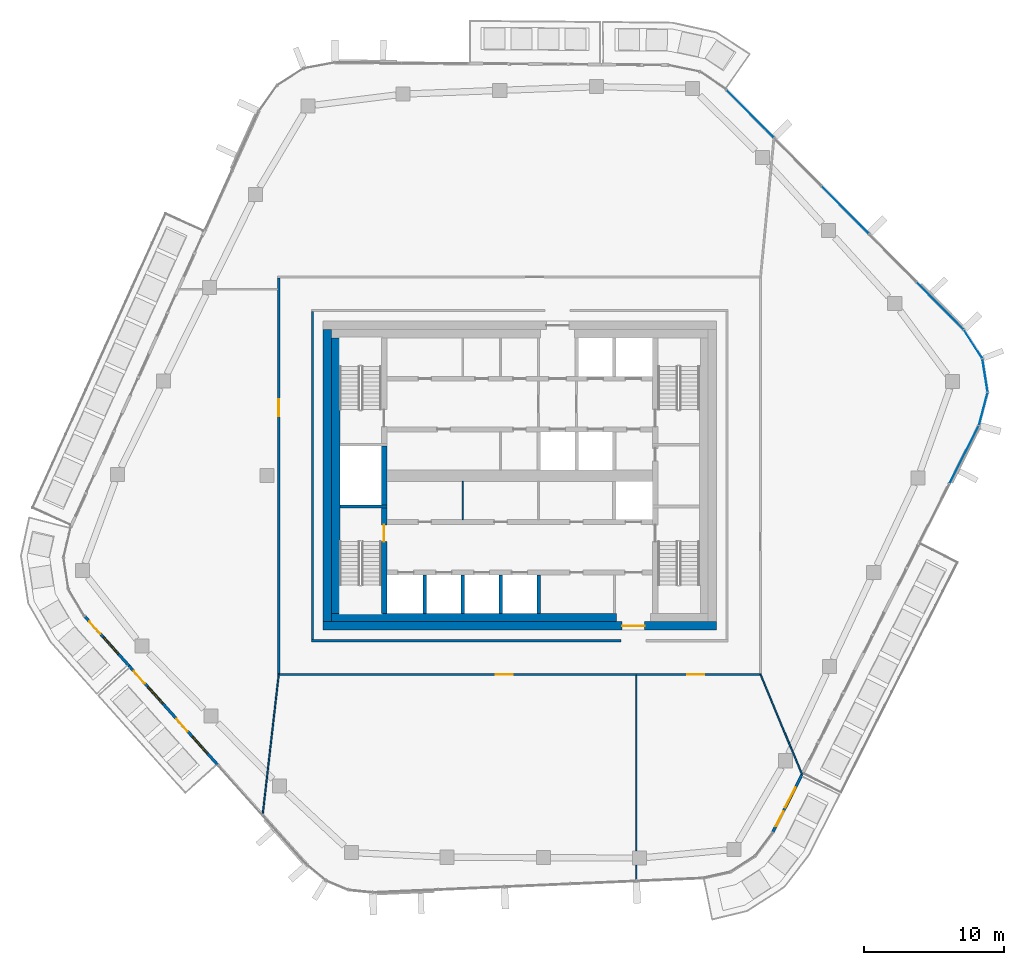
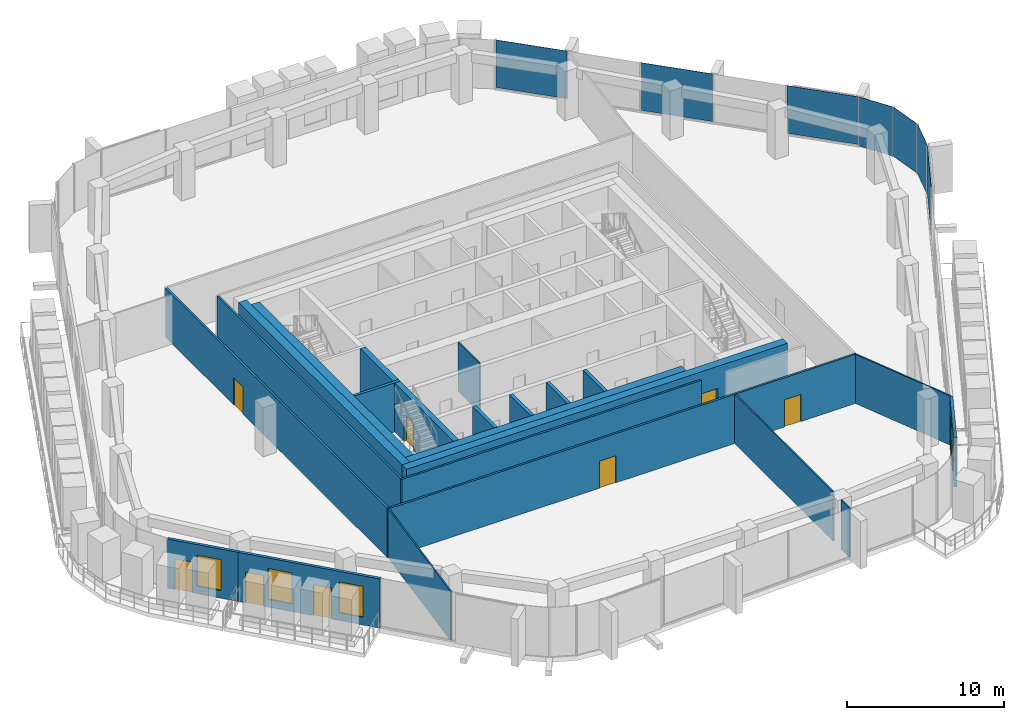
# One storey, part 12 of 23: 23 walls, 9 doors, 7 plates, 4 windows, 13 openings, 3 elements without a shape of their own.
"""IFC4 building model written with IfcOpenShell, lengths in metres."""

from ifc_helpers import new_model, si_unit, direction, frame, frame_2d, origin, origin_2d, place, context, subcontext, project, spatial, rectangle, extrude, material, layer, layer_set, type_object, element, fill, aggregate, save


model = new_model("IFC4")

# Units and contexts
model_context = context("Model", 3, precision=1e-05, world=origin(), true_north=direction((0.0, 1.0)))
body_context = subcontext(model_context, "Body", "Model", "MODEL_VIEW")
ifc_project = project(units=[si_unit("LENGTHUNIT", "METRE"), si_unit("AREAUNIT", "SQUARE_METRE"), si_unit("VOLUMEUNIT", "CUBIC_METRE"), si_unit("PLANEANGLEUNIT", "RADIAN"), si_unit("MASSUNIT", "GRAM", prefix="KILO")], contexts=[model_context])

# Site, building, storey
site_placement = place(None, origin())
site = spatial("IfcSite", under=ifc_project, at=site_placement, CompositionType="ELEMENT")
building_placement = place(site_placement, origin())
building = spatial("IfcBuilding", under=site, at=building_placement, Name="Dongbaek Canopy Tower", CompositionType="ELEMENT")
storey_placement = place(building_placement, frame((0.0, 0.0, 323.60009765625)))
storey = spatial("IfcBuildingStorey", under=building, at=storey_placement, Name="L69", CompositionType="ELEMENT", Elevation=323.60009765625)

# Curtain wall, plates
ifc_material_1 = material(Name="Aluminium 6063-T6 pale anodised", Category="aluminium")
ifc_layer_1 = layer(ifc_material_1, 0.199951171875)
ifc_layer_set_1 = layer_set([ifc_layer_1], Name="CW-1 unitised tower curtain wall")
curtain_wall_type = type_object("IfcCurtainWallType", Name="CW-1 unitised tower curtain wall", PredefinedType="NOTDEFINED", material=ifc_layer_set_1)
curtain_wall_1_placement = place(storey_placement, origin())
curtain_wall_1 = element("IfcCurtainWall", 1, at=curtain_wall_1_placement, inside=storey, type_object=curtain_wall_type, Name="CW-1 curtain wall K0.1", PredefinedType="NOTDEFINED")
ifc_material_2 = material(Name="Clear laminated glass", Category="glass")
ifc_layer_2 = layer(ifc_material_2, 0.028076171875)
ifc_layer_set_2 = layer_set([ifc_layer_2], Name="CW-1 glazed panel 28")
plate_type = type_object("IfcPlateType", Name="CW-1 glazed panel 28", PredefinedType="CURTAIN_PANEL", material=ifc_layer_set_2)
plate_1_placement = place(storey_placement, frame((33.002685546875, 4.7451171875, 0.0), z_axis=(0.0, 0.0, 1.0), x_axis=(0.257891541817, 0.966173872892, 0.0)))
plate_1 = element("IfcPlate", 2, at=plate_1_placement, type_object=plate_type, Name="CW-1 panel K0.1.1.1", PredefinedType="CURTAIN_PANEL", context=body_context, shape_type="SweptSolid", body=[
    extrude(rectangle(XDim=2.364013671875, YDim=0.028076171875, at=origin_2d()), origin(), (0.0, 0.0, 1.0), 3.820068359375),
])
plate_2_placement = place(storey_placement, frame((33.1298828125, 7.131591796875, 0.0), z_axis=(0.0, 0.0, 1.0), x_axis=(-0.154802153069, 0.98794549111, 0.0)))
plate_2 = element("IfcPlate", 3, at=plate_2_placement, type_object=plate_type, Name="CW-1 panel K0.1.2.1", PredefinedType="CURTAIN_PANEL", context=body_context, shape_type="SweptSolid", body=[
    extrude(rectangle(XDim=2.353271484375, YDim=0.028076171875, at=origin_2d()), origin(), (0.0, 0.0, 1.0), 3.820068359375),
])
plate_3_placement = place(storey_placement, frame((32.27880859375, 9.364990234375, 0.0), z_axis=(0.0, 0.0, 1.0), x_axis=(-0.54105717443, 0.840985810818, 0.0)))
plate_3 = element("IfcPlate", 4, at=plate_3_placement, type_object=plate_type, Name="CW-1 panel K0.1.3.1", PredefinedType="CURTAIN_PANEL", context=body_context, shape_type="SweptSolid", body=[
    extrude(rectangle(XDim=2.364013671875, YDim=0.028076171875, at=origin_2d()), origin(), (0.0, 0.0, 1.0), 3.820068359375),
])
aggregate(curtain_wall_1, [plate_1, plate_2, plate_3])

curtain_wall_2_placement = place(storey_placement, origin())
curtain_wall_2 = element("IfcCurtainWall", 5, at=curtain_wall_2_placement, inside=storey, type_object=curtain_wall_type, Name="CW-1 curtain wall F0.1", PredefinedType="NOTDEFINED")
plate_4_placement = place(storey_placement, frame((29.929931640625, 12.099853515625, 0.1201171875), z_axis=(0.0, 0.0, 1.0), x_axis=(-0.703156354287, 0.711035260325, 0.0)))
plate_4 = element("IfcPlate", 6, at=plate_4_placement, type_object=plate_type, Name="CW-1 panel F0.1.1.1", PredefinedType="CURTAIN_PANEL", context=body_context, shape_type="SweptSolid", body=[
    extrude(rectangle(XDim=4.713134765625, YDim=0.028076171875, at=origin_2d()), origin(), (0.0, 0.0, 1.0), 3.699951171875),
])
plate_5_placement = place(storey_placement, frame((23.172607421875, 18.93310546875, 0.1201171875), z_axis=(0.0, 0.0, 1.0), x_axis=(-0.703156354287, 0.711035260325, 0.0)))
plate_5 = element("IfcPlate", 7, at=plate_5_placement, type_object=plate_type, Name="CW-1 panel F0.1.3.1", PredefinedType="CURTAIN_PANEL", context=body_context, shape_type="SweptSolid", body=[
    extrude(rectangle(XDim=4.7236328125, YDim=0.028076171875, at=origin_2d()), origin(), (0.0, 0.0, 1.0), 3.699951171875),
])
plate_6_placement = place(storey_placement, frame((16.414794921875, 25.766357421875, 0.1201171875), z_axis=(0.0, 0.0, 1.0), x_axis=(-0.703156354287, 0.711035260325, 0.0)))
plate_6 = element("IfcPlate", 8, at=plate_6_placement, type_object=plate_type, Name="CW-1 panel F0.1.5.1", PredefinedType="CURTAIN_PANEL", context=body_context, shape_type="SweptSolid", body=[
    extrude(rectangle(XDim=4.7138671875, YDim=0.028076171875, at=origin_2d()), origin(), (0.0, 0.0, 1.0), 3.699951171875),
])
aggregate(curtain_wall_2, [plate_4, plate_5, plate_6])

# Curtain wall, plate
curtain_wall_3_placement = place(storey_placement, origin())
curtain_wall_3 = element("IfcCurtainWall", 9, at=curtain_wall_3_placement, inside=storey, type_object=curtain_wall_type, Name="CW-1 curtain wall F5.1", PredefinedType="NOTDEFINED")
plate_7_placement = place(storey_placement, frame((31.640380859375, 1.496337890625, 0.1201171875), z_axis=(0.0, 0.0, 1.0), x_axis=(0.451969985266, 0.892033145359, 0.0)))
plate_7 = element("IfcPlate", 10, at=plate_7_placement, type_object=plate_type, Name="CW-1 panel F5.1.2.1", PredefinedType="CURTAIN_PANEL", context=body_context, shape_type="SweptSolid", body=[
    extrude(rectangle(XDim=4.548095703125, YDim=0.028076171875, at=origin_2d()), origin(), (0.0, 0.0, 1.0), 3.699951171875),
])
aggregate(curtain_wall_3, [plate_7])

# Wall, opening, door
ifc_material_3 = material(Name="Concrete C80/95", Category="concrete")
ifc_layer_3 = layer(ifc_material_3, 0.60009765625)
ifc_layer_set_3 = layer_set([ifc_layer_3], Name="Core outer wall 600 Concrete C80/95")
wall_type_1 = type_object("IfcWallType", Name="Core outer wall 600 Concrete C80/95", PredefinedType="SHEAR", material=ifc_layer_set_3)
wall_1_placement = place(storey_placement, frame((14.0, -10.699951171875, 0.0), z_axis=(0.0, 0.0, 1.0), x_axis=(-1.0, 0.0, 0.0)))
wall_1 = element("IfcWall", 11, at=wall_1_placement, inside=storey, type_object=wall_type_1, Name="Core wall", PredefinedType="SHEAR", context=body_context, shape_type="SweptSolid", body=[
    extrude(rectangle(XDim=28.0, YDim=0.60009765625, at=frame_2d((14.0, 0.0))), origin(), (0.0, 0.0, 1.0), 3.81982421875),
])
opening_1_placement = place(wall_1_placement, frame((5.10009765625, 0.0, 0.0)))
opening_1 = element("IfcOpeningElement", 12, at=opening_1_placement, cuts=wall_1, Name="Opening L69-D019", PredefinedType="OPENING", context=body_context, shape_type="SweptSolid", body=[
    extrude(rectangle(XDim=1.60009765625, YDim=2.10009765625, at=frame_2d((0.800048828125, 1.050048828125))), frame((0.0, 0.31005859375, 0.0), z_axis=(0.0, -1.0, 0.0), x_axis=(1.0, 0.0, 0.0)), (0.0, 0.0, 1.0), 0.6201171875),
])
ifc_material_4 = material(Name="Steel", Category="steel")
door_type_1 = type_object("IfcDoorType", Name="Core exit door 1600 x 2100", OperationType="DOUBLE_DOOR_SINGLE_SWING", PredefinedType="DOOR", material=ifc_material_4)
door_1_placement = place(opening_1_placement, origin())
door_1 = element("IfcDoor", 13, at=door_1_placement, inside=storey, type_object=door_type_1, Name="Core exit door", OperationType="DOUBLE_DOOR_SINGLE_SWING", OverallHeight=2.10009765625, OverallWidth=1.60009765625, PredefinedType="DOOR", context=body_context, shape_type="SweptSolid", body=[
    extrude(rectangle(XDim=1.60009765625, YDim=2.10009765625, at=frame_2d((0.800048828125, 1.050048828125))), frame((0.0, 0.02490234375, 0.0), z_axis=(0.0, -1.0, 0.0), x_axis=(1.0, 0.0, 0.0)), (0.0, 0.0, 1.0), 0.050048828125),
])
fill(opening_1, door_1)

# Walls
wall_2_placement = place(storey_placement, frame((-13.699951171875, -10.39990234375, 0.0), z_axis=(0.0, 0.0, 1.0), x_axis=(0.0, 1.0, 0.0)))
element("IfcWall", 14, at=wall_2_placement, inside=storey, type_object=wall_type_1, Name="Core wall", PredefinedType="SHEAR", context=body_context, shape_type="SweptSolid", body=[
    extrude(rectangle(XDim=20.7998046875, YDim=0.60009765625, at=frame_2d((10.39990234375, 0.0))), origin(), (0.0, 0.0, 1.0), 3.81982421875),
])
ifc_material_5 = material(Name="Concrete C60/75", Category="concrete")
ifc_layer_4 = layer(ifc_material_5, 0.60009765625)
ifc_layer_set_4 = layer_set([ifc_layer_4], Name="Core wall lining 600 Concrete C60/75")
wall_type_2 = type_object("IfcWallType", Name="Core wall lining 600 Concrete C60/75", PredefinedType="SHEAR", material=ifc_layer_set_4)
wall_3_placement = place(storey_placement, frame((6.89990234375, -10.10009765625, 0.0), z_axis=(0.0, 0.0, 1.0), x_axis=(-1.0, 0.0, 0.0)))
element("IfcWall", 15, at=wall_3_placement, inside=storey, type_object=wall_type_2, Name="Core wall lining", PredefinedType="SHEAR", context=body_context, shape_type="SweptSolid", body=[
    extrude(rectangle(XDim=20.2998046875, YDim=0.60009765625, at=frame_2d((10.14990234375, 0.0))), origin(), (0.0, 0.0, 1.0), 3.81982421875),
])
wall_4_placement = place(storey_placement, frame((-13.10009765625, -9.800048828125, 0.0), z_axis=(0.0, 0.0, 1.0), x_axis=(0.0, 1.0, 0.0)))
element("IfcWall", 16, at=wall_4_placement, inside=storey, type_object=wall_type_2, Name="Core wall lining", PredefinedType="SHEAR", context=body_context, shape_type="SweptSolid", body=[
    extrude(rectangle(XDim=19.60009765625, YDim=0.60009765625, at=frame_2d((9.800048828125, 0.0))), origin(), (0.0, 0.0, 1.0), 3.81982421875),
])

# Wall, openings, doors
ifc_material_6 = material(Name="Gypsum board partition, steel stud, 2 x 15 mm fire board", Category="steel")
ifc_layer_5 = layer(ifc_material_6, 0.14990234375)
ifc_layer_set_5 = layer_set([ifc_layer_5], Name="Fire-rated partition 150 gypsum board")
wall_type_3 = type_object("IfcWallType", Name="Fire-rated partition 150 gypsum board", PredefinedType="PARTITIONING", material=ifc_layer_set_5)
wall_5_placement = place(storey_placement, frame((17.22509765625, -14.14990234375, 0.0), z_axis=(0.0, 0.0, 1.0), x_axis=(-1.0, 0.0, 0.0)))
wall_5 = element("IfcWall", 17, at=wall_5_placement, inside=storey, type_object=wall_type_3, Name="Corridor partition", PredefinedType="PARTITIONING", context=body_context, shape_type="SweptSolid", body=[
    extrude(rectangle(XDim=34.4501953125, YDim=0.14990234375, at=frame_2d((17.22509765625, 0.0))), origin(), (0.0, 0.0, 1.0), 3.81982421875),
])
opening_2_placement = place(wall_5_placement, frame((17.7109375, 0.0, 0.0)))
opening_2 = element("IfcOpeningElement", 18, at=opening_2_placement, cuts=wall_5, Name="Opening L69-D002", PredefinedType="OPENING", context=body_context, shape_type="SweptSolid", body=[
    extrude(rectangle(XDim=1.199951171875, YDim=2.10009765625, at=frame_2d((0.60009765625, 1.050048828125))), frame((0.0, 0.0849609375, 0.0), z_axis=(0.0, -1.0, 0.0), x_axis=(1.0, 0.0, 0.0)), (0.0, 0.0, 1.0), 0.169921875),
])
opening_3_placement = place(wall_5_placement, frame((4.094482421875, 0.0, 0.0)))
opening_3 = element("IfcOpeningElement", 19, at=opening_3_placement, cuts=wall_5, Name="Opening L69-D003", PredefinedType="OPENING", context=body_context, shape_type="SweptSolid", body=[
    extrude(rectangle(XDim=1.199951171875, YDim=2.10009765625, at=frame_2d((0.60009765625, 1.050048828125))), frame((0.0, 0.0849609375, 0.0), z_axis=(0.0, -1.0, 0.0), x_axis=(1.0, 0.0, 0.0)), (0.0, 0.0, 1.0), 0.169921875),
])
ifc_material_7 = material(Name="Timber veneered door leaf", Category="wood")
door_type_2 = type_object("IfcDoorType", Name="Room door 1200 x 2100", OperationType="SINGLE_SWING_LEFT", PredefinedType="DOOR", material=ifc_material_7)
door_2_placement = place(opening_2_placement, origin())
door_2 = element("IfcDoor", 20, at=door_2_placement, inside=storey, type_object=door_type_2, Name="Door L69-D002", OperationType="SINGLE_SWING_LEFT", OverallHeight=2.10009765625, OverallWidth=1.199951171875, PredefinedType="DOOR", context=body_context, shape_type="SweptSolid", body=[
    extrude(rectangle(XDim=1.199951171875, YDim=2.10009765625, at=frame_2d((0.60009765625, 1.050048828125))), frame((0.0, 0.02490234375, 0.0), z_axis=(0.0, -1.0, 0.0), x_axis=(1.0, 0.0, 0.0)), (0.0, 0.0, 1.0), 0.050048828125),
])
fill(opening_2, door_2)
door_3_placement = place(opening_3_placement, origin())
door_3 = element("IfcDoor", 21, at=door_3_placement, inside=storey, type_object=door_type_2, Name="Door L69-D003", OperationType="SINGLE_SWING_RIGHT", OverallHeight=2.10009765625, OverallWidth=1.199951171875, PredefinedType="DOOR", context=body_context, shape_type="SweptSolid", body=[
    extrude(rectangle(XDim=1.199951171875, YDim=2.10009765625, at=frame_2d((0.60009765625, 1.050048828125))), frame((0.0, 0.02490234375, 0.0), z_axis=(0.0, -1.0, 0.0), x_axis=(1.0, 0.0, 0.0)), (0.0, 0.0, 1.0), 0.050048828125),
])
fill(opening_3, door_3)

# Walls
wall_6_placement = place(storey_placement, frame((-14.824951171875, -11.75, 0.0), z_axis=(0.0, 0.0, 1.0), x_axis=(1.0, 0.0, 0.0)))
element("IfcWall", 22, at=wall_6_placement, inside=storey, type_object=wall_type_3, Name="Corridor partition", PredefinedType="PARTITIONING", context=body_context, shape_type="SweptSolid", body=[
    extrude(rectangle(XDim=22.02490234375, YDim=0.14990234375, at=frame_2d((11.012451171875, 0.0))), origin(), (0.0, 0.0, 1.0), 3.81982421875),
])
wall_7_placement = place(storey_placement, frame((-14.75, -11.675048828125, 0.0), z_axis=(0.0, 0.0, 1.0), x_axis=(0.0, 1.0, 0.0)))
element("IfcWall", 23, at=wall_7_placement, inside=storey, type_object=wall_type_3, Name="Corridor partition", PredefinedType="PARTITIONING", context=body_context, shape_type="SweptSolid", body=[
    extrude(rectangle(XDim=23.35009765625, YDim=0.14990234375, at=frame_2d((11.675048828125, 0.0))), origin(), (0.0, 0.0, 1.0), 3.81982421875),
])

# Wall, opening, door
wall_8_placement = place(storey_placement, frame((-17.14990234375, -14.074951171875, 0.0), z_axis=(0.0, 0.0, 1.0), x_axis=(0.0, 1.0, 0.0)))
wall_8 = element("IfcWall", 24, at=wall_8_placement, inside=storey, type_object=wall_type_3, Name="Corridor partition", PredefinedType="PARTITIONING", context=body_context, shape_type="SweptSolid", body=[
    extrude(rectangle(XDim=28.14990234375, YDim=0.14990234375, at=frame_2d((14.074951171875, 0.0))), origin(), (0.0, 0.0, 1.0), 3.81982421875),
])
opening_4_placement = place(wall_8_placement, frame((18.2978515625, 0.0, 0.0)))
opening_4 = element("IfcOpeningElement", 25, at=opening_4_placement, cuts=wall_8, Name="Opening L69-D001", PredefinedType="OPENING", context=body_context, shape_type="SweptSolid", body=[
    extrude(rectangle(XDim=1.199951171875, YDim=2.10009765625, at=frame_2d((0.60009765625, 1.050048828125))), frame((0.0, 0.0849609375, 0.0), z_axis=(0.0, -1.0, 0.0), x_axis=(1.0, 0.0, 0.0)), (0.0, 0.0, 1.0), 0.169921875),
])
door_4_placement = place(opening_4_placement, origin())
door_4 = element("IfcDoor", 26, at=door_4_placement, inside=storey, type_object=door_type_2, Name="Door L69-D001", OperationType="SINGLE_SWING_RIGHT", OverallHeight=2.10009765625, OverallWidth=1.199951171875, PredefinedType="DOOR", context=body_context, shape_type="SweptSolid", body=[
    extrude(rectangle(XDim=1.199951171875, YDim=2.10009765625, at=frame_2d((0.60009765625, 1.050048828125))), frame((0.0, 0.02490234375, 0.0), z_axis=(0.0, -1.0, 0.0), x_axis=(1.0, 0.0, 0.0)), (0.0, 0.0, 1.0), 0.050048828125),
])
fill(opening_4, door_4)

# Walls
ifc_material_8 = material(Name="Concrete C40/50", Category="concrete")
ifc_layer_6 = layer(ifc_material_8, 0.25)
ifc_layer_set_6 = layer_set([ifc_layer_6], Name="Lift shaft wall 250 Concrete C40/50")
wall_type_4 = type_object("IfcWallType", Name="Lift shaft wall 250 Concrete C40/50", PredefinedType="SOLIDWALL", material=ifc_layer_set_6)
for number, where, z_axis, x_axis, name in (
    (27, (1.35009765625, -9.800048828125, 0.0), (0.0, 0.0, 1.0), (0.0, 1.0, 0.0), "Lift shaft wall"),
    (28, (-1.35009765625, -9.800048828125, 0.0), (0.0, 0.0, 1.0), (0.0, 1.0, 0.0), "Lift shaft wall"),
    (29, (-4.050048828125, -9.800048828125, 0.0), (0.0, 0.0, 1.0), (0.0, 1.0, 0.0), "Lift shaft wall"),
    (30, (-6.75, -9.800048828125, 0.0), (0.0, 0.0, 1.0), (0.0, 1.0, 0.0), "Lift shaft wall"),
):
    element("IfcWall", number, at=place(storey_placement, frame(where, z_axis=z_axis, x_axis=x_axis)), inside=storey, type_object=wall_type_4, Name=name, PredefinedType="SOLIDWALL", context=body_context, shape_type="SweptSolid", body=[
        extrude(rectangle(XDim=2.72509765625, YDim=0.25, at=frame_2d((1.362548828125, 0.0))), origin(), (0.0, 0.0, 1.0), 3.81982421875),
    ])
ifc_material_9 = material(Name="Gypsum board partition, steel stud, 2 x 12.5 mm board", Category="steel")
ifc_layer_7 = layer(ifc_material_9, 0.10009765625)
ifc_layer_set_7 = layer_set([ifc_layer_7], Name="Partition 100 gypsum board")
wall_type_5 = type_object("IfcWallType", Name="Partition 100 gypsum board", PredefinedType="PARTITIONING", material=ifc_layer_set_7)
wall_9_placement = place(storey_placement, frame((-18.295654296875, -24.140380859375, 0.0), z_axis=(0.0, 0.0, 1.0), x_axis=(0.11391359401, 0.993490660801, 0.0)))
element("IfcWall", 31, at=wall_9_placement, inside=storey, type_object=wall_type_5, Name="Partition", PredefinedType="PARTITIONING", context=body_context, shape_type="SweptSolid", body=[
    extrude(rectangle(XDim=10.055908203125, YDim=0.10009765625, at=frame_2d((5.02783203125, 0.0))), origin(), (0.0, 0.0, 1.0), 3.81982421875),
])
wall_10_placement = place(storey_placement, frame((8.302978515625, -28.82958984375, 0.0), z_axis=(0.0, 0.0, 1.0), x_axis=(0.0, 1.0, 0.0)))
element("IfcWall", 32, at=wall_10_placement, inside=storey, type_object=wall_type_5, Name="Partition", PredefinedType="PARTITIONING", context=body_context, shape_type="SweptSolid", body=[
    extrude(rectangle(XDim=1.1025390625, YDim=0.10009765625, at=frame_2d((0.55126953125, 0.0))), origin(), (0.0, 0.0, 1.0), 3.81982421875),
])
wall_11_placement = place(storey_placement, frame((8.302978515625, -26.72705078125, 0.0), z_axis=(0.0, 0.0, 1.0), x_axis=(0.0, 1.0, 0.0)))
element("IfcWall", 33, at=wall_11_placement, inside=storey, type_object=wall_type_5, Name="Partition", PredefinedType="PARTITIONING", context=body_context, shape_type="SweptSolid", body=[
    extrude(rectangle(XDim=12.501953125, YDim=0.10009765625, at=frame_2d((6.2509765625, 0.0))), origin(), (0.0, 0.0, 1.0), 3.81982421875),
])
wall_12_placement = place(storey_placement, frame((17.150390625, -14.14990234375, 0.0), z_axis=(0.0, 0.0, 1.0), x_axis=(0.382693080748, -0.923875535961, 0.0)))
element("IfcWall", 34, at=wall_12_placement, inside=storey, type_object=wall_type_5, Name="Partition", PredefinedType="PARTITIONING", context=body_context, shape_type="SweptSolid", body=[
    extrude(rectangle(XDim=7.686767578125, YDim=0.10009765625, at=frame_2d((3.84326171875, 0.0))), origin(), (0.0, 0.0, 1.0), 3.81982421875),
])
wall_13_placement = place(storey_placement, frame((-4.050048828125, -3.125, 0.0), z_axis=(0.0, 0.0, 1.0), x_axis=(0.0, 1.0, 0.0)))
element("IfcWall", 35, at=wall_13_placement, inside=storey, type_object=wall_type_5, Name="Core partition", PredefinedType="PARTITIONING", context=body_context, shape_type="SweptSolid", body=[
    extrude(rectangle(XDim=2.72509765625, YDim=0.10009765625, at=frame_2d((1.362548828125, 0.0))), origin(), (0.0, 0.0, 1.0), 3.81982421875),
])
ifc_material_10 = material(Name="Concrete C60/75", Category="concrete")
ifc_layer_8 = layer(ifc_material_10, 0.199951171875)
ifc_layer_set_8 = layer_set([ifc_layer_8], Name="Riser wall 200 Concrete C60/75")
wall_type_6 = type_object("IfcWallType", Name="Riser wall 200 Concrete C60/75", PredefinedType="SHEAR", material=ifc_layer_set_8)
wall_14_placement = place(storey_placement, frame((-9.449951171875, -2.199951171875, 0.0), z_axis=(0.0, 0.0, 1.0), x_axis=(-1.0, 0.0, 0.0)))
element("IfcWall", 36, at=wall_14_placement, inside=storey, type_object=wall_type_6, Name="Riser wall", PredefinedType="SHEAR", context=body_context, shape_type="SweptSolid", body=[
    extrude(rectangle(XDim=3.35009765625, YDim=0.199951171875, at=frame_2d((1.675048828125, 0.0))), origin(), (0.0, 0.0, 1.0), 3.81982421875),
])

# Wall, opening, door
ifc_material_11 = material(Name="Concrete C60/75", Category="concrete")
ifc_layer_9 = layer(ifc_material_11, 0.39990234375)
ifc_layer_set_9 = layer_set([ifc_layer_9], Name="Stair wall 400 Concrete C60/75")
wall_type_7 = type_object("IfcWallType", Name="Stair wall 400 Concrete C60/75", PredefinedType="SHEAR", material=ifc_layer_set_9)
wall_15_placement = place(storey_placement, frame((-9.64990234375, -9.800048828125, 0.0), z_axis=(0.0, 0.0, 1.0), x_axis=(0.0, 1.0, 0.0)))
wall_15 = element("IfcWall", 37, at=wall_15_placement, inside=storey, type_object=wall_type_7, Name="Stair wall", PredefinedType="SHEAR", context=body_context, shape_type="SweptSolid", body=[
    extrude(rectangle(XDim=7.5, YDim=0.39990234375, at=frame_2d((3.75, 0.0))), origin(), (0.0, 0.0, 1.0), 3.81982421875),
])
opening_5_placement = place(wall_15_placement, frame((5.10009765625, 0.0, 0.0)))
opening_5 = element("IfcOpeningElement", 38, at=opening_5_placement, cuts=wall_15, Name="Opening L69-D033", PredefinedType="OPENING", context=body_context, shape_type="SweptSolid", body=[
    extrude(rectangle(XDim=1.199951171875, YDim=2.10009765625, at=frame_2d((0.60009765625, 1.050048828125))), frame((0.0, 0.2099609375, 0.0), z_axis=(0.0, -1.0, 0.0), x_axis=(1.0, 0.0, 0.0)), (0.0, 0.0, 1.0), 0.419921875),
])
ifc_material_12 = material(Name="Steel", Category="steel")
door_type_3 = type_object("IfcDoorType", Name="Stair door 1200 x 2100", OperationType="SINGLE_SWING_LEFT", PredefinedType="DOOR", material=ifc_material_12)
door_5_placement = place(opening_5_placement, origin())
door_5 = element("IfcDoor", 39, at=door_5_placement, inside=storey, type_object=door_type_3, Name="Stair D door", OperationType="SINGLE_SWING_LEFT", OverallHeight=2.10009765625, OverallWidth=1.199951171875, PredefinedType="DOOR", context=body_context, shape_type="SweptSolid", body=[
    extrude(rectangle(XDim=1.199951171875, YDim=2.10009765625, at=frame_2d((0.60009765625, 1.050048828125))), frame((0.0, 0.02490234375, 0.0), z_axis=(0.0, -1.0, 0.0), x_axis=(1.0, 0.0, 0.0)), (0.0, 0.0, 1.0), 0.050048828125),
])
fill(opening_5, door_5)

# Wall
wall_16_placement = place(storey_placement, frame((-9.64990234375, -2.10009765625, 0.0), z_axis=(0.0, 0.0, 1.0), x_axis=(0.0, 1.0, 0.0)))
element("IfcWall", 40, at=wall_16_placement, inside=storey, type_object=wall_type_7, Name="Stair wall", PredefinedType="SHEAR", context=body_context, shape_type="SweptSolid", body=[
    extrude(rectangle(XDim=4.2001953125, YDim=0.39990234375, at=frame_2d((2.10009765625, 0.0))), origin(), (0.0, 0.0, 1.0), 3.81982421875),
])

# Wall, openings, doors, windows
ifc_material_13 = material(Name="Aluminium window wall", Category="aluminium")
ifc_layer_10 = layer(ifc_material_13, 0.199951171875)
ifc_layer_set_10 = layer_set([ifc_layer_10], Name="Window wall 200")
wall_type_8 = type_object("IfcWallType", Name="Window wall 200", PredefinedType="SOLIDWALL", material=ifc_layer_set_10)
wall_17_placement = place(storey_placement, frame((-27.807373046875, -13.5419921875, 0.0), z_axis=(0.0, 0.0, 1.0), x_axis=(0.666894702572, -0.745151968179, 0.0)))
wall_17 = element("IfcWall", 41, at=wall_17_placement, inside=storey, type_object=wall_type_8, Name="Window wall L69 3", PredefinedType="SOLIDWALL", context=body_context, shape_type="SweptSolid", body=[
    extrude(rectangle(XDim=9.505859375, YDim=0.199951171875, at=frame_2d((4.7529296875, 0.0))), origin(), (0.0, 0.0, 1.0), 3.81982421875),
])
opening_6_placement = place(wall_17_placement, frame((2.0, 0.0, 0.60009765625)))
opening_6 = element("IfcOpeningElement", 42, at=opening_6_placement, cuts=wall_17, Name="Opening W1", PredefinedType="OPENING", context=body_context, shape_type="SweptSolid", body=[
    extrude(rectangle(XDim=1.60009765625, YDim=2.39990234375, at=frame_2d((0.800048828125, 1.199951171875))), frame((0.0, 0.10986328125, 0.0), z_axis=(0.0, -1.0, 0.0), x_axis=(1.0, 0.0, 0.0)), (0.0, 0.0, 1.0), 0.219970703125),
])
opening_7_placement = place(wall_17_placement, frame((0.5, 0.0, 0.0)))
opening_7 = element("IfcOpeningElement", 43, at=opening_7_placement, cuts=wall_17, Name="Opening L69-B09", PredefinedType="OPENING", context=body_context, shape_type="SweptSolid", body=[
    extrude(rectangle(XDim=1.199951171875, YDim=2.39990234375, at=frame_2d((0.60009765625, 1.199951171875))), frame((0.0, 0.10986328125, 0.0), z_axis=(0.0, -1.0, 0.0), x_axis=(1.0, 0.0, 0.0)), (0.0, 0.0, 1.0), 0.219970703125),
])
opening_8_placement = place(wall_17_placement, frame((6.7529296875, 0.0, 0.60009765625)))
opening_8 = element("IfcOpeningElement", 44, at=opening_8_placement, cuts=wall_17, Name="Opening W1", PredefinedType="OPENING", context=body_context, shape_type="SweptSolid", body=[
    extrude(rectangle(XDim=1.60009765625, YDim=2.39990234375, at=frame_2d((0.800048828125, 1.199951171875))), frame((0.0, 0.10986328125, 0.0), z_axis=(0.0, -1.0, 0.0), x_axis=(1.0, 0.0, 0.0)), (0.0, 0.0, 1.0), 0.219970703125),
])
opening_9_placement = place(wall_17_placement, frame((5.052978515625, 0.0, 0.0)))
opening_9 = element("IfcOpeningElement", 45, at=opening_9_placement, cuts=wall_17, Name="Opening L69-B10", PredefinedType="OPENING", context=body_context, shape_type="SweptSolid", body=[
    extrude(rectangle(XDim=1.199951171875, YDim=2.39990234375, at=frame_2d((0.60009765625, 1.199951171875))), frame((0.0, 0.10986328125, 0.0), z_axis=(0.0, -1.0, 0.0), x_axis=(1.0, 0.0, 0.0)), (0.0, 0.0, 1.0), 0.219970703125),
])
ifc_material_14 = material(Name="Clear glazing in aluminium frame", Category="aluminium")
door_type_4 = type_object("IfcDoorType", Name="Balcony door BD1 1200 x 2400", OperationType="SLIDING_TO_LEFT", PredefinedType="DOOR", material=ifc_material_14)
door_6_placement = place(opening_7_placement, origin())
door_6 = element("IfcDoor", 46, at=door_6_placement, inside=storey, type_object=door_type_4, Name="Balcony door L69-B09", OperationType="SLIDING_TO_LEFT", OverallHeight=2.39990234375, OverallWidth=1.199951171875, PredefinedType="DOOR", context=body_context, shape_type="SweptSolid", body=[
    extrude(rectangle(XDim=1.199951171875, YDim=2.39990234375, at=frame_2d((0.60009765625, 1.199951171875))), frame((0.0, 0.02490234375, 0.0), z_axis=(0.0, -1.0, 0.0), x_axis=(1.0, 0.0, 0.0)), (0.0, 0.0, 1.0), 0.050048828125),
])
fill(opening_7, door_6)
door_7_placement = place(opening_9_placement, origin())
door_7 = element("IfcDoor", 47, at=door_7_placement, inside=storey, type_object=door_type_4, Name="Balcony door L69-B10", OperationType="SLIDING_TO_LEFT", OverallHeight=2.39990234375, OverallWidth=1.199951171875, PredefinedType="DOOR", context=body_context, shape_type="SweptSolid", body=[
    extrude(rectangle(XDim=1.199951171875, YDim=2.39990234375, at=frame_2d((0.60009765625, 1.199951171875))), frame((0.0, 0.02490234375, 0.0), z_axis=(0.0, -1.0, 0.0), x_axis=(1.0, 0.0, 0.0)), (0.0, 0.0, 1.0), 0.050048828125),
])
fill(opening_9, door_7)
ifc_material_15 = material(Name="Clear glazing in aluminium frame", Category="aluminium")
window_type = type_object("IfcWindowType", Name="Window W1 1600 x 2400", PartitioningType="SINGLE_PANEL", PredefinedType="WINDOW", material=ifc_material_15)
window_1_placement = place(opening_6_placement, origin())
window_1 = element("IfcWindow", 48, at=window_1_placement, inside=storey, type_object=window_type, Name="Window L69 3.1", OverallHeight=2.39990234375, OverallWidth=1.60009765625, PartitioningType="SINGLE_PANEL", PredefinedType="WINDOW", context=body_context, shape_type="SweptSolid", body=[
    extrude(rectangle(XDim=1.60009765625, YDim=2.39990234375, at=frame_2d((0.800048828125, 1.199951171875))), frame((0.0, 0.030029296875, 0.0), z_axis=(0.0, -1.0, 0.0), x_axis=(1.0, 0.0, 0.0)), (0.0, 0.0, 1.0), 0.06005859375),
])
fill(opening_6, window_1)
window_2_placement = place(opening_8_placement, origin())
window_2 = element("IfcWindow", 49, at=window_2_placement, inside=storey, type_object=window_type, Name="Window L69 3.2", OverallHeight=2.39990234375, OverallWidth=1.60009765625, PartitioningType="SINGLE_PANEL", PredefinedType="WINDOW", context=body_context, shape_type="SweptSolid", body=[
    extrude(rectangle(XDim=1.60009765625, YDim=2.39990234375, at=frame_2d((0.800048828125, 1.199951171875))), frame((0.0, 0.030029296875, 0.0), z_axis=(0.0, -1.0, 0.0), x_axis=(1.0, 0.0, 0.0)), (0.0, 0.0, 1.0), 0.06005859375),
])
fill(opening_8, window_2)

# Wall, openings, door, window
wall_18_placement = place(storey_placement, frame((-30.970458984375, -10.00732421875, 0.0), z_axis=(0.0, 0.0, 1.0), x_axis=(0.666852029375, -0.745190157556, 0.0)))
wall_18 = element("IfcWall", 50, at=wall_18_placement, inside=storey, type_object=wall_type_8, Name="Window wall L69 6", PredefinedType="SOLIDWALL", context=body_context, shape_type="SweptSolid", body=[
    extrude(rectangle(XDim=4.743408203125, YDim=0.199951171875, at=frame_2d((2.37158203125, 0.0))), origin(), (0.0, 0.0, 1.0), 3.81982421875),
])
opening_10_placement = place(wall_18_placement, frame((2.0, 0.0, 0.60009765625)))
opening_10 = element("IfcOpeningElement", 51, at=opening_10_placement, cuts=wall_18, Name="Opening W1", PredefinedType="OPENING", context=body_context, shape_type="SweptSolid", body=[
    extrude(rectangle(XDim=1.60009765625, YDim=2.39990234375, at=frame_2d((0.800048828125, 1.199951171875))), frame((0.0, 0.10986328125, 0.0), z_axis=(0.0, -1.0, 0.0), x_axis=(1.0, 0.0, 0.0)), (0.0, 0.0, 1.0), 0.219970703125),
])
opening_11_placement = place(wall_18_placement, frame((0.5, 0.0, 0.0)))
opening_11 = element("IfcOpeningElement", 52, at=opening_11_placement, cuts=wall_18, Name="Opening L69-B11", PredefinedType="OPENING", context=body_context, shape_type="SweptSolid", body=[
    extrude(rectangle(XDim=1.199951171875, YDim=2.39990234375, at=frame_2d((0.60009765625, 1.199951171875))), frame((0.0, 0.10986328125, 0.0), z_axis=(0.0, -1.0, 0.0), x_axis=(1.0, 0.0, 0.0)), (0.0, 0.0, 1.0), 0.219970703125),
])
door_8_placement = place(opening_11_placement, origin())
door_8 = element("IfcDoor", 53, at=door_8_placement, inside=storey, type_object=door_type_4, Name="Balcony door L69-B11", OperationType="SLIDING_TO_LEFT", OverallHeight=2.39990234375, OverallWidth=1.199951171875, PredefinedType="DOOR", context=body_context, shape_type="SweptSolid", body=[
    extrude(rectangle(XDim=1.199951171875, YDim=2.39990234375, at=frame_2d((0.60009765625, 1.199951171875))), frame((0.0, 0.02490234375, 0.0), z_axis=(0.0, -1.0, 0.0), x_axis=(1.0, 0.0, 0.0)), (0.0, 0.0, 1.0), 0.050048828125),
])
fill(opening_11, door_8)
window_3_placement = place(opening_10_placement, origin())
window_3 = element("IfcWindow", 54, at=window_3_placement, inside=storey, type_object=window_type, Name="Window L69 6.1", OverallHeight=2.39990234375, OverallWidth=1.60009765625, PartitioningType="SINGLE_PANEL", PredefinedType="WINDOW", context=body_context, shape_type="SweptSolid", body=[
    extrude(rectangle(XDim=1.60009765625, YDim=2.39990234375, at=frame_2d((0.800048828125, 1.199951171875))), frame((0.0, 0.030029296875, 0.0), z_axis=(0.0, -1.0, 0.0), x_axis=(1.0, 0.0, 0.0)), (0.0, 0.0, 1.0), 0.06005859375),
])
fill(opening_10, window_3)

wall_19_placement = place(storey_placement, frame((18.008056640625, -25.4091796875, 0.0), z_axis=(0.0, 0.0, 1.0), x_axis=(0.451970383378, 0.892032943646, 0.0)))
wall_19 = element("IfcWall", 55, at=wall_19_placement, inside=storey, type_object=wall_type_8, Name="Window wall L69 7", PredefinedType="SOLIDWALL", context=body_context, shape_type="SweptSolid", body=[
    extrude(rectangle(XDim=4.633544921875, YDim=0.199951171875, at=frame_2d((2.31689453125, 0.0))), origin(), (0.0, 0.0, 1.0), 3.81982421875),
])
opening_12_placement = place(wall_19_placement, frame((2.0, 0.0, 0.60009765625)))
opening_12 = element("IfcOpeningElement", 56, at=opening_12_placement, cuts=wall_19, Name="Opening W1", PredefinedType="OPENING", context=body_context, shape_type="SweptSolid", body=[
    extrude(rectangle(XDim=1.60009765625, YDim=2.39990234375, at=frame_2d((0.800048828125, 1.199951171875))), frame((0.0, 0.10986328125, 0.0), z_axis=(0.0, -1.0, 0.0), x_axis=(1.0, 0.0, 0.0)), (0.0, 0.0, 1.0), 0.219970703125),
])
opening_13_placement = place(wall_19_placement, frame((0.5, 0.0, 0.0)))
opening_13 = element("IfcOpeningElement", 57, at=opening_13_placement, cuts=wall_19, Name="Opening L69-B16", PredefinedType="OPENING", context=body_context, shape_type="SweptSolid", body=[
    extrude(rectangle(XDim=1.199951171875, YDim=2.39990234375, at=frame_2d((0.60009765625, 1.199951171875))), frame((0.0, 0.10986328125, 0.0), z_axis=(0.0, -1.0, 0.0), x_axis=(1.0, 0.0, 0.0)), (0.0, 0.0, 1.0), 0.219970703125),
])
door_9_placement = place(opening_13_placement, origin())
door_9 = element("IfcDoor", 58, at=door_9_placement, inside=storey, type_object=door_type_4, Name="Balcony door L69-B16", OperationType="SLIDING_TO_LEFT", OverallHeight=2.39990234375, OverallWidth=1.199951171875, PredefinedType="DOOR", context=body_context, shape_type="SweptSolid", body=[
    extrude(rectangle(XDim=1.199951171875, YDim=2.39990234375, at=frame_2d((0.60009765625, 1.199951171875))), frame((0.0, 0.02490234375, 0.0), z_axis=(0.0, -1.0, 0.0), x_axis=(1.0, 0.0, 0.0)), (0.0, 0.0, 1.0), 0.050048828125),
])
fill(opening_13, door_9)
window_4_placement = place(opening_12_placement, origin())
window_4 = element("IfcWindow", 59, at=window_4_placement, inside=storey, type_object=window_type, Name="Window L69 7.1", OverallHeight=2.39990234375, OverallWidth=1.60009765625, PartitioningType="SINGLE_PANEL", PredefinedType="WINDOW", context=body_context, shape_type="SweptSolid", body=[
    extrude(rectangle(XDim=1.60009765625, YDim=2.39990234375, at=frame_2d((0.800048828125, 1.199951171875))), frame((0.0, 0.030029296875, 0.0), z_axis=(0.0, -1.0, 0.0), x_axis=(1.0, 0.0, 0.0)), (0.0, 0.0, 1.0), 0.06005859375),
])
fill(opening_12, window_4)

save(model, "model.ifc")
